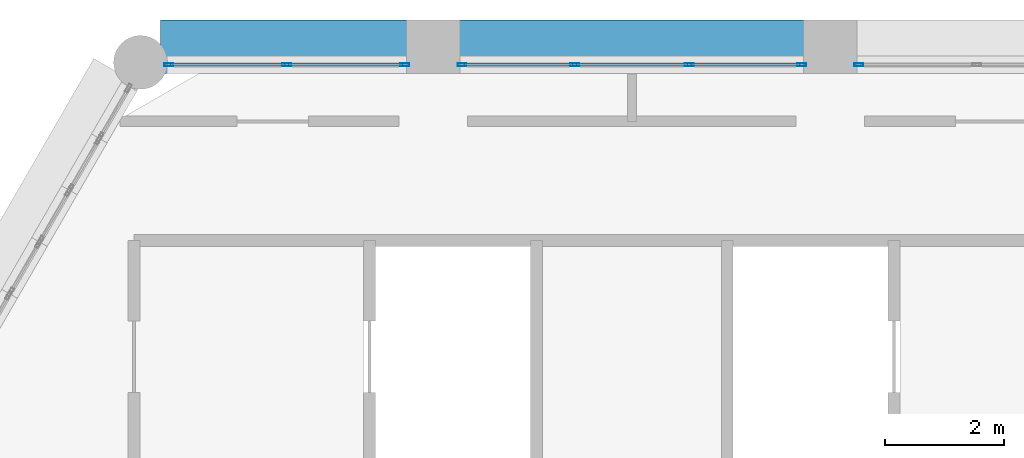
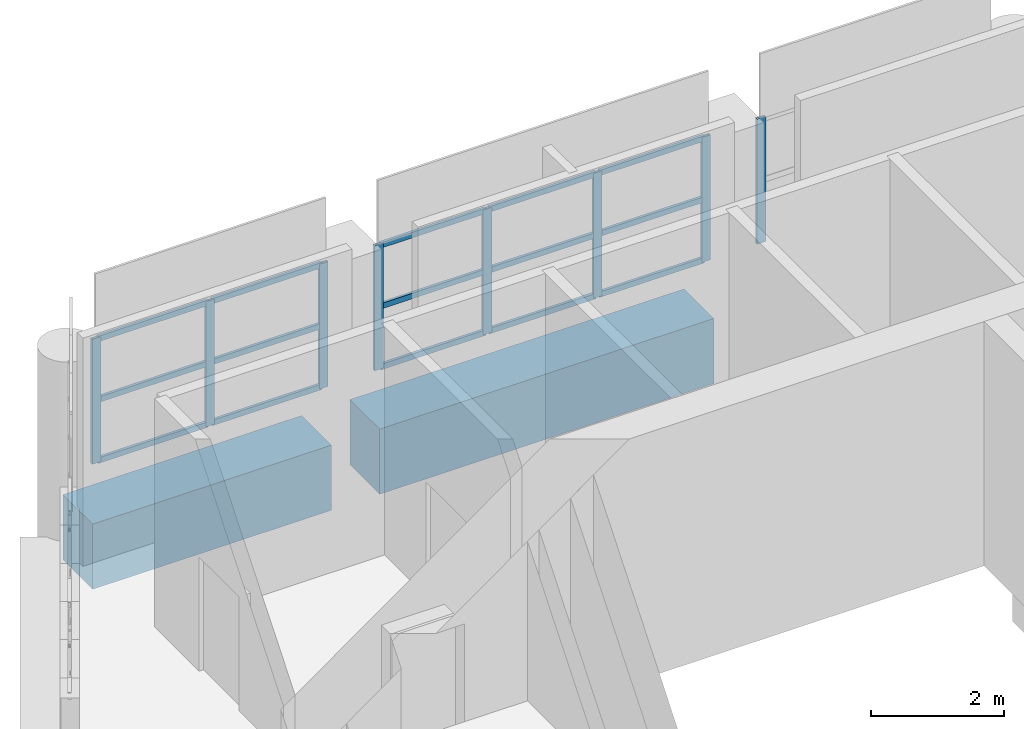
# One storey, part 12 of 25: 23 members, 2 beams, 3 elements without a shape of their own.
"""IFC4 building model written with IfcOpenShell, lengths in metres."""

from ifc_helpers import new_model, si_unit, direction, frame, origin, origin_2d, place, context, subcontext, project, spatial, rectangle, hollow_rectangle, extrude, material, material_profile, profile_set, type_object, element, aggregate, save


model = new_model("IFC4")

# Units and contexts
model_context = context("Model", 3, precision=1e-05, world=origin(), true_north=direction((0.0, 1.0)))
body_context = subcontext(model_context, "Body", "Model", "MODEL_VIEW")
ifc_project = project(units=[si_unit("LENGTHUNIT", "METRE"), si_unit("AREAUNIT", "SQUARE_METRE"), si_unit("VOLUMEUNIT", "CUBIC_METRE"), si_unit("PLANEANGLEUNIT", "RADIAN"), si_unit("MASSUNIT", "GRAM", prefix="KILO")], contexts=[model_context])

# Site, building, storey
site_placement = place(None, origin())
site = spatial("IfcSite", under=ifc_project, at=site_placement, CompositionType="ELEMENT")
building_placement = place(site_placement, origin())
building = spatial("IfcBuilding", under=site, at=building_placement, Name="Ostrander Bayou Hotel Tower", CompositionType="ELEMENT")
storey_placement = place(building_placement, frame((0.0, 0.0, 275.0)))
storey = spatial("IfcBuildingStorey", under=building, at=storey_placement, Name="L68", CompositionType="ELEMENT", Elevation=275.0)

# Curtain wall, member
ifc_material_1 = material(Name="Aluminium and clear glass", Category="aluminium")
curtain_wall_type = type_object("IfcCurtainWallType", Name="CW-CROWN glazed wall", PredefinedType="NOTDEFINED", material=ifc_material_1)
curtain_wall_1_placement = place(storey_placement, origin())
curtain_wall_1 = element("IfcCurtainWall", 1, at=curtain_wall_1_placement, inside=storey, type_object=curtain_wall_type, Name="CW-CROWN L68:N-1", PredefinedType="NOTDEFINED")
ifc_material_2 = material(Name="Aluminium", Category="aluminium")
ifc_material_profile_1 = material_profile(ifc_material_2, hollow_rectangle(XDim=0.050048828125, YDim=0.14990234375, WallThickness=0.00390625, at=origin_2d()))
ifc_profile_set_1 = profile_set([ifc_material_profile_1], Name="Aluminium")
member_type_1 = type_object("IfcMemberType", Name="CW-CR mullion 50 x 150 mm", PredefinedType="MULLION", material=ifc_profile_set_1)
member_1_placement = place(storey_placement, frame((3.809326171875, 16.550048828125, 1.0), z_axis=(0.0, 0.0, 1.0), x_axis=(0.0, -1.0, 0.0)))
member_1 = element("IfcMember", 2, at=member_1_placement, type_object=member_type_1, Name="CW-CROWN mullion 3", PredefinedType="MULLION", context=body_context, shape_type="SweptSolid", body=[
    extrude(hollow_rectangle(XDim=0.050048828125, YDim=0.14990234375, WallThickness=0.00390625, at=origin_2d()), origin(), (0.0, 0.0, 1.0), 2.300048828125),
])
aggregate(curtain_wall_1, [member_1])

# Curtain wall, members
curtain_wall_2_placement = place(storey_placement, origin())
curtain_wall_2 = element("IfcCurtainWall", 3, at=curtain_wall_2_placement, inside=storey, type_object=curtain_wall_type, Name="CW-CROWN L68:N-2", PredefinedType="NOTDEFINED")
member_2_placement = place(storey_placement, frame((2.849365234375, 16.550048828125, 1.0), z_axis=(0.0, 0.0, 1.0), x_axis=(0.0, -1.0, 0.0)))
member_2 = element("IfcMember", 4, at=member_2_placement, type_object=member_type_1, Name="CW-CROWN mullion 1", PredefinedType="MULLION", context=body_context, shape_type="SweptSolid", body=[
    extrude(hollow_rectangle(XDim=0.050048828125, YDim=0.14990234375, WallThickness=0.00390625, at=origin_2d()), origin(), (0.0, 0.0, 1.0), 2.300048828125),
])
member_3_placement = place(storey_placement, frame((0.959716796875, 16.550048828125, 1.0), z_axis=(0.0, 0.0, 1.0), x_axis=(0.0, -1.0, 0.0)))
member_3 = element("IfcMember", 5, at=member_3_placement, type_object=member_type_1, Name="CW-CROWN mullion 2", PredefinedType="MULLION", context=body_context, shape_type="SweptSolid", body=[
    extrude(hollow_rectangle(XDim=0.050048828125, YDim=0.14990234375, WallThickness=0.00390625, at=origin_2d()), origin(), (0.0, 0.0, 1.0), 2.300048828125),
])
member_4_placement = place(storey_placement, frame((-0.959716796875, 16.550048828125, 1.0), z_axis=(0.0, 0.0, 1.0), x_axis=(0.0, -1.0, 0.0)))
member_4 = element("IfcMember", 6, at=member_4_placement, type_object=member_type_1, Name="CW-CROWN mullion 3", PredefinedType="MULLION", context=body_context, shape_type="SweptSolid", body=[
    extrude(hollow_rectangle(XDim=0.050048828125, YDim=0.14990234375, WallThickness=0.00390625, at=origin_2d()), origin(), (0.0, 0.0, 1.0), 2.300048828125),
])
member_5_placement = place(storey_placement, frame((-2.849365234375, 16.550048828125, 1.0), z_axis=(0.0, 0.0, 1.0), x_axis=(0.0, -1.0, 0.0)))
member_5 = element("IfcMember", 7, at=member_5_placement, type_object=member_type_1, Name="CW-CROWN mullion 4", PredefinedType="MULLION", context=body_context, shape_type="SweptSolid", body=[
    extrude(hollow_rectangle(XDim=0.050048828125, YDim=0.14990234375, WallThickness=0.00390625, at=origin_2d()), origin(), (0.0, 0.0, 1.0), 2.300048828125),
])

curtain_wall_3_placement = place(storey_placement, origin())
curtain_wall_3 = element("IfcCurtainWall", 8, at=curtain_wall_3_placement, inside=storey, type_object=curtain_wall_type, Name="CW-CROWN L68:N-3", PredefinedType="NOTDEFINED")
member_6_placement = place(storey_placement, frame((-3.809326171875, 16.550048828125, 1.0), z_axis=(0.0, 0.0, 1.0), x_axis=(0.0, -1.0, 0.0)))
member_6 = element("IfcMember", 9, at=member_6_placement, type_object=member_type_1, Name="CW-CROWN mullion 1", PredefinedType="MULLION", context=body_context, shape_type="SweptSolid", body=[
    extrude(hollow_rectangle(XDim=0.050048828125, YDim=0.14990234375, WallThickness=0.00390625, at=origin_2d()), origin(), (0.0, 0.0, 1.0), 2.300048828125),
])
member_7_placement = place(storey_placement, frame((-5.78759765625, 16.550048828125, 1.0), z_axis=(0.0, 0.0, 1.0), x_axis=(0.0, -1.0, 0.0)))
member_7 = element("IfcMember", 10, at=member_7_placement, type_object=member_type_1, Name="CW-CROWN mullion 2", PredefinedType="MULLION", context=body_context, shape_type="SweptSolid", body=[
    extrude(hollow_rectangle(XDim=0.050048828125, YDim=0.14990234375, WallThickness=0.00390625, at=origin_2d()), origin(), (0.0, 0.0, 1.0), 2.300048828125),
])
member_8_placement = place(storey_placement, frame((-7.765869140625, 16.550048828125, 1.0), z_axis=(0.0, 0.0, 1.0), x_axis=(0.0, -1.0, 0.0)))
member_8 = element("IfcMember", 11, at=member_8_placement, type_object=member_type_1, Name="CW-CROWN mullion 3", PredefinedType="MULLION", context=body_context, shape_type="SweptSolid", body=[
    extrude(hollow_rectangle(XDim=0.050048828125, YDim=0.14990234375, WallThickness=0.00390625, at=origin_2d()), origin(), (0.0, 0.0, 1.0), 2.300048828125),
])

# Member
ifc_material_3 = material(Name="Aluminium", Category="aluminium")
ifc_material_profile_2 = material_profile(ifc_material_3, hollow_rectangle(XDim=0.050048828125, YDim=0.10009765625, WallThickness=0.00390625, at=origin_2d()))
ifc_profile_set_2 = profile_set([ifc_material_profile_2], Name="Aluminium")
member_type_2 = type_object("IfcMemberType", Name="CW-CR transom 50 x 100 mm", PredefinedType="USERDEFINED", material=ifc_profile_set_2)
member_9_placement = place(storey_placement, frame((2.8193359375, 16.550048828125, 1.030029296875), z_axis=(-1.0, 0.0, 0.0), x_axis=(0.0, -1.0, 0.0)))
member_9 = element("IfcMember", 12, at=member_9_placement, type_object=member_type_2, Name="CW-CROWN transom 1.1", ObjectType="TRANSOM", PredefinedType="USERDEFINED", context=body_context, shape_type="SweptSolid", body=[
    extrude(hollow_rectangle(XDim=0.050048828125, YDim=0.10009765625, WallThickness=0.00390625, at=origin_2d()), origin(), (0.0, 0.0, 1.0), 1.82958984375),
])

member_10_placement = place(storey_placement, frame((2.8193359375, 16.550048828125, 2.14990234375), z_axis=(-1.0, 0.0, 0.0), x_axis=(0.0, -1.0, 0.0)))
member_10 = element("IfcMember", 13, at=member_10_placement, type_object=member_type_2, Name="CW-CROWN transom 1.2", ObjectType="TRANSOM", PredefinedType="USERDEFINED", context=body_context, shape_type="SweptSolid", body=[
    extrude(hollow_rectangle(XDim=0.050048828125, YDim=0.10009765625, WallThickness=0.00390625, at=origin_2d()), origin(), (0.0, 0.0, 1.0), 1.82958984375),
])

member_11_placement = place(storey_placement, frame((2.8193359375, 16.550048828125, 3.27001953125), z_axis=(-1.0, 0.0, 0.0), x_axis=(0.0, -1.0, 0.0)))
member_11 = element("IfcMember", 14, at=member_11_placement, type_object=member_type_2, Name="CW-CROWN transom 1.3", ObjectType="TRANSOM", PredefinedType="USERDEFINED", context=body_context, shape_type="SweptSolid", body=[
    extrude(hollow_rectangle(XDim=0.050048828125, YDim=0.10009765625, WallThickness=0.00390625, at=origin_2d()), origin(), (0.0, 0.0, 1.0), 1.82958984375),
])

member_12_placement = place(storey_placement, frame((0.9296875, 16.550048828125, 1.030029296875), z_axis=(-1.0, 0.0, 0.0), x_axis=(0.0, -1.0, 0.0)))
member_12 = element("IfcMember", 15, at=member_12_placement, type_object=member_type_2, Name="CW-CROWN transom 2.1", ObjectType="TRANSOM", PredefinedType="USERDEFINED", context=body_context, shape_type="SweptSolid", body=[
    extrude(hollow_rectangle(XDim=0.050048828125, YDim=0.10009765625, WallThickness=0.00390625, at=origin_2d()), origin(), (0.0, 0.0, 1.0), 1.859375),
])

member_13_placement = place(storey_placement, frame((0.9296875, 16.550048828125, 2.14990234375), z_axis=(-1.0, 0.0, 0.0), x_axis=(0.0, -1.0, 0.0)))
member_13 = element("IfcMember", 16, at=member_13_placement, type_object=member_type_2, Name="CW-CROWN transom 2.2", ObjectType="TRANSOM", PredefinedType="USERDEFINED", context=body_context, shape_type="SweptSolid", body=[
    extrude(hollow_rectangle(XDim=0.050048828125, YDim=0.10009765625, WallThickness=0.00390625, at=origin_2d()), origin(), (0.0, 0.0, 1.0), 1.859375),
])

member_14_placement = place(storey_placement, frame((0.9296875, 16.550048828125, 3.27001953125), z_axis=(-1.0, 0.0, 0.0), x_axis=(0.0, -1.0, 0.0)))
member_14 = element("IfcMember", 17, at=member_14_placement, type_object=member_type_2, Name="CW-CROWN transom 2.3", ObjectType="TRANSOM", PredefinedType="USERDEFINED", context=body_context, shape_type="SweptSolid", body=[
    extrude(hollow_rectangle(XDim=0.050048828125, YDim=0.10009765625, WallThickness=0.00390625, at=origin_2d()), origin(), (0.0, 0.0, 1.0), 1.859375),
])

member_15_placement = place(storey_placement, frame((-0.98974609375, 16.550048828125, 1.030029296875), z_axis=(-1.0, 0.0, 0.0), x_axis=(0.0, -1.0, 0.0)))
member_15 = element("IfcMember", 18, at=member_15_placement, type_object=member_type_2, Name="CW-CROWN transom 3.1", ObjectType="TRANSOM", PredefinedType="USERDEFINED", context=body_context, shape_type="SweptSolid", body=[
    extrude(hollow_rectangle(XDim=0.050048828125, YDim=0.10009765625, WallThickness=0.00390625, at=origin_2d()), origin(), (0.0, 0.0, 1.0), 1.82958984375),
])

member_16_placement = place(storey_placement, frame((-0.98974609375, 16.550048828125, 2.14990234375), z_axis=(-1.0, 0.0, 0.0), x_axis=(0.0, -1.0, 0.0)))
member_16 = element("IfcMember", 19, at=member_16_placement, type_object=member_type_2, Name="CW-CROWN transom 3.2", ObjectType="TRANSOM", PredefinedType="USERDEFINED", context=body_context, shape_type="SweptSolid", body=[
    extrude(hollow_rectangle(XDim=0.050048828125, YDim=0.10009765625, WallThickness=0.00390625, at=origin_2d()), origin(), (0.0, 0.0, 1.0), 1.82958984375),
])

member_17_placement = place(storey_placement, frame((-0.98974609375, 16.550048828125, 3.27001953125), z_axis=(-1.0, 0.0, 0.0), x_axis=(0.0, -1.0, 0.0)))
member_17 = element("IfcMember", 20, at=member_17_placement, type_object=member_type_2, Name="CW-CROWN transom 3.3", ObjectType="TRANSOM", PredefinedType="USERDEFINED", context=body_context, shape_type="SweptSolid", body=[
    extrude(hollow_rectangle(XDim=0.050048828125, YDim=0.10009765625, WallThickness=0.00390625, at=origin_2d()), origin(), (0.0, 0.0, 1.0), 1.82958984375),
])

aggregate(curtain_wall_2, [member_2, member_3, member_4, member_5, member_9, member_10, member_11, member_12, member_13, member_14, member_15, member_16, member_17])

member_18_placement = place(storey_placement, frame((-3.83935546875, 16.550048828125, 1.030029296875), z_axis=(-1.0, 0.0, 0.0), x_axis=(0.0, -1.0, 0.0)))
member_18 = element("IfcMember", 21, at=member_18_placement, type_object=member_type_2, Name="CW-CROWN transom 1.1", ObjectType="TRANSOM", PredefinedType="USERDEFINED", context=body_context, shape_type="SweptSolid", body=[
    extrude(hollow_rectangle(XDim=0.050048828125, YDim=0.10009765625, WallThickness=0.00390625, at=origin_2d()), origin(), (0.0, 0.0, 1.0), 1.918212890625),
])

member_19_placement = place(storey_placement, frame((-3.83935546875, 16.550048828125, 2.14990234375), z_axis=(-1.0, 0.0, 0.0), x_axis=(0.0, -1.0, 0.0)))
member_19 = element("IfcMember", 22, at=member_19_placement, type_object=member_type_2, Name="CW-CROWN transom 1.2", ObjectType="TRANSOM", PredefinedType="USERDEFINED", context=body_context, shape_type="SweptSolid", body=[
    extrude(hollow_rectangle(XDim=0.050048828125, YDim=0.10009765625, WallThickness=0.00390625, at=origin_2d()), origin(), (0.0, 0.0, 1.0), 1.918212890625),
])

member_20_placement = place(storey_placement, frame((-3.83935546875, 16.550048828125, 3.27001953125), z_axis=(-1.0, 0.0, 0.0), x_axis=(0.0, -1.0, 0.0)))
member_20 = element("IfcMember", 23, at=member_20_placement, type_object=member_type_2, Name="CW-CROWN transom 1.3", ObjectType="TRANSOM", PredefinedType="USERDEFINED", context=body_context, shape_type="SweptSolid", body=[
    extrude(hollow_rectangle(XDim=0.050048828125, YDim=0.10009765625, WallThickness=0.00390625, at=origin_2d()), origin(), (0.0, 0.0, 1.0), 1.918212890625),
])

member_21_placement = place(storey_placement, frame((-5.817626953125, 16.550048828125, 1.030029296875), z_axis=(-1.0, 0.0, 0.0), x_axis=(0.0, -1.0, 0.0)))
member_21 = element("IfcMember", 24, at=member_21_placement, type_object=member_type_2, Name="CW-CROWN transom 2.1", ObjectType="TRANSOM", PredefinedType="USERDEFINED", context=body_context, shape_type="SweptSolid", body=[
    extrude(hollow_rectangle(XDim=0.050048828125, YDim=0.10009765625, WallThickness=0.00390625, at=origin_2d()), origin(), (0.0, 0.0, 1.0), 1.918212890625),
])

member_22_placement = place(storey_placement, frame((-5.817626953125, 16.550048828125, 2.14990234375), z_axis=(-1.0, 0.0, 0.0), x_axis=(0.0, -1.0, 0.0)))
member_22 = element("IfcMember", 25, at=member_22_placement, type_object=member_type_2, Name="CW-CROWN transom 2.2", ObjectType="TRANSOM", PredefinedType="USERDEFINED", context=body_context, shape_type="SweptSolid", body=[
    extrude(hollow_rectangle(XDim=0.050048828125, YDim=0.10009765625, WallThickness=0.00390625, at=origin_2d()), origin(), (0.0, 0.0, 1.0), 1.918212890625),
])

member_23_placement = place(storey_placement, frame((-5.817626953125, 16.550048828125, 3.27001953125), z_axis=(-1.0, 0.0, 0.0), x_axis=(0.0, -1.0, 0.0)))
member_23 = element("IfcMember", 26, at=member_23_placement, type_object=member_type_2, Name="CW-CROWN transom 2.3", ObjectType="TRANSOM", PredefinedType="USERDEFINED", context=body_context, shape_type="SweptSolid", body=[
    extrude(hollow_rectangle(XDim=0.050048828125, YDim=0.10009765625, WallThickness=0.00390625, at=origin_2d()), origin(), (0.0, 0.0, 1.0), 1.918212890625),
])

aggregate(curtain_wall_3, [member_6, member_7, member_8, member_18, member_19, member_20, member_21, member_22, member_23])

# Beams
ifc_material_4 = material(Name="Concrete f'c 60 MPa", Category="concrete")
ifc_material_profile_3 = material_profile(ifc_material_4, rectangle(XDim=0.89990234375, YDim=1.199951171875, at=origin_2d()))
ifc_profile_set_3 = profile_set([ifc_material_profile_3], Name="Concrete f'c 60 MPa")
beam_type = type_object("IfcBeamType", Name="SP4 spandrel beam 900 x 1200 mm f'c 60 MPa", PredefinedType="SPANDREL", material=ifc_profile_set_3)
beam_1_placement = place(storey_placement, frame((2.909423828125, 16.85009765625, -0.60009765625), z_axis=(-1.0, 0.0, 0.0), x_axis=(0.0, -1.0, 0.0)))
element("IfcBeam", 27, at=beam_1_placement, inside=storey, type_object=beam_type, Name="SP4 L68 N-2", PredefinedType="SPANDREL", context=body_context, shape_type="SweptSolid", body=[
    extrude(rectangle(XDim=0.89990234375, YDim=1.199951171875, at=origin_2d()), origin(), (0.0, 0.0, 1.0), 5.81884765625),
])
beam_2_placement = place(storey_placement, frame((-3.74951171875, 16.85009765625, -0.60009765625), z_axis=(-1.0, 0.0, 0.0), x_axis=(0.0, -1.0, 0.0)))
element("IfcBeam", 28, at=beam_2_placement, inside=storey, type_object=beam_type, Name="SP4 L68 N-3", PredefinedType="SPANDREL", context=body_context, shape_type="SweptSolid", body=[
    extrude(rectangle(XDim=0.89990234375, YDim=1.199951171875, at=origin_2d()), origin(), (0.0, 0.0, 1.0), 4.15625),
])

save(model, "model.ifc")
